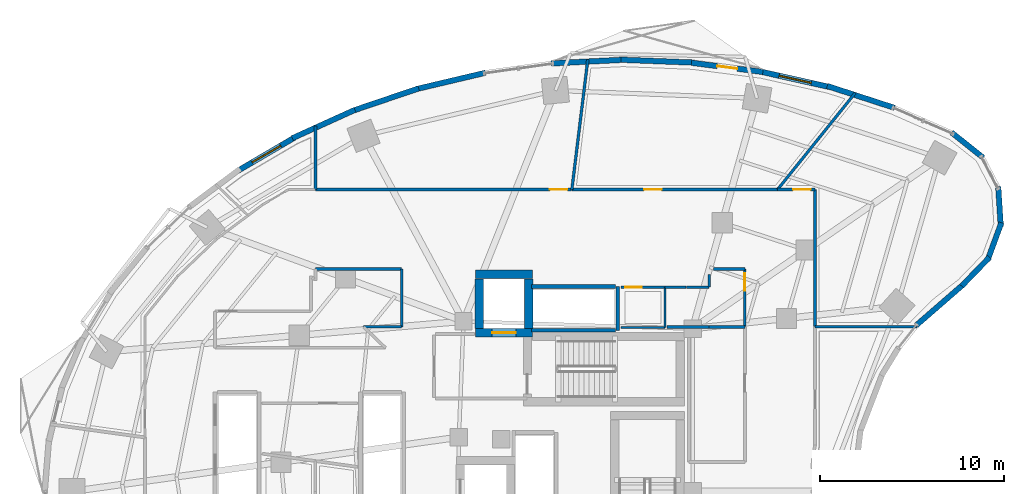
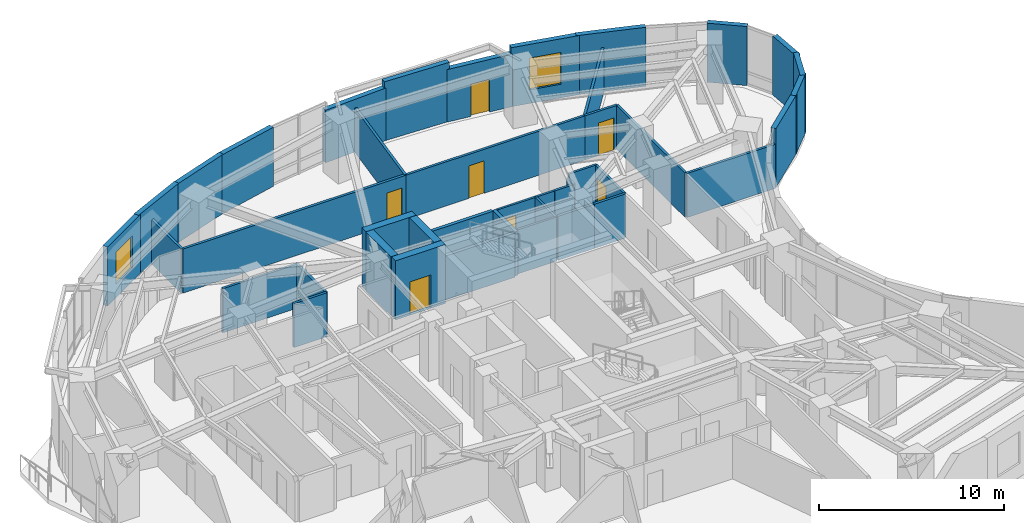
# One storey, part 12 of 16: 42 walls, 7 doors, 2 windows, 9 openings.
"""IFC4 building model written with IfcOpenShell, lengths in metres."""

from ifc_helpers import new_model, si_unit, direction, frame, frame_2d, origin, place, context, subcontext, project, spatial, rectangle, extrude, material, layer, layer_set, type_object, element, fill, save


model = new_model("IFC4")

# Units and contexts
model_context = context("Model", 3, precision=1e-05, world=origin(), true_north=direction((0.0, 1.0)))
body_context = subcontext(model_context, "Body", "Model", "MODEL_VIEW")
ifc_project = project(units=[si_unit("LENGTHUNIT", "METRE"), si_unit("AREAUNIT", "SQUARE_METRE"), si_unit("VOLUMEUNIT", "CUBIC_METRE"), si_unit("PLANEANGLEUNIT", "RADIAN"), si_unit("MASSUNIT", "GRAM", prefix="KILO")], contexts=[model_context])

# Site, building, storey
site_placement = place(None, origin())
site = spatial("IfcSite", under=ifc_project, at=site_placement, CompositionType="ELEMENT")
building_placement = place(site_placement, origin())
building = spatial("IfcBuilding", under=site, at=building_placement, Name="Korentha Bioscience Tower", CompositionType="ELEMENT")
storey_placement = place(building_placement, frame((0.0, 0.0, 59.39990234375)))
storey = spatial("IfcBuildingStorey", under=building, at=storey_placement, Name="L13", CompositionType="ELEMENT", Elevation=59.39990234375)

# Wall, opening, door
ifc_material_1 = material(Name="Double-Stud Acoustic Gypsum", Category="gypsum")
ifc_layer_1 = layer(ifc_material_1, 0.14990234375, Name="Double-Stud Acoustic Gypsum")
ifc_layer_set_1 = layer_set([ifc_layer_1], Name="Double-Stud Acoustic Gypsum (IW-L150)")
wall_type_1 = type_object("IfcWallType", Name="Acoustic Laboratory Partition Wall 150", PredefinedType="PARTITIONING", material=ifc_layer_set_1)
wall_1_placement = place(storey_placement, frame((44.199951171875, 43.409912109375, 0.0), z_axis=(0.0, 0.0, 1.0), x_axis=(-1.0, 0.0, 0.0)))
wall_1 = element("IfcWall", 1, at=wall_1_placement, inside=storey, type_object=wall_type_1, Name="L13 Proteomics Crystallography Laboratory 13 Entrance Wall", PredefinedType="PARTITIONING", context=body_context, shape_type="SweptSolid", body=[
    extrude(rectangle(XDim=2.02978515625, YDim=0.14990234375, at=frame_2d((1.014892578125, 0.0))), origin(), (0.0, 0.0, 1.0), 2.91015625),
])
opening_1_placement = place(wall_1_placement, frame((0.239990234375, 0.0, 0.0)))
opening_1 = element("IfcOpeningElement", 2, at=opening_1_placement, cuts=wall_1, Name="Opening ID-10R", PredefinedType="OPENING", context=body_context, shape_type="SweptSolid", body=[
    extrude(rectangle(XDim=0.949951171875, YDim=2.14990234375, at=frame_2d((0.47509765625, 1.074951171875))), frame((0.0, 0.08984375, 0.0), z_axis=(0.0, -1.0, 0.0), x_axis=(1.0, 0.0, 0.0)), (0.0, 0.0, 1.0), 0.1796875),
])
ifc_material_2 = material(Name="Phenolic Laminate Timber Core", Category="wood")
door_type_1 = type_object("IfcDoorType", Name="Laboratory Single Leaf Door 950x2150 Right", OperationType="SINGLE_SWING_RIGHT", PredefinedType="DOOR", material=ifc_material_2)
door_1_placement = place(opening_1_placement, origin())
door_1 = element("IfcDoor", 3, at=door_1_placement, inside=storey, type_object=door_type_1, Name="L13 Proteomics Crystallography Laboratory 13 Door", OperationType="SINGLE_SWING_RIGHT", OverallHeight=2.14990234375, OverallWidth=0.949951171875, PredefinedType="DOOR", context=body_context, shape_type="SweptSolid", body=[
    extrude(rectangle(XDim=0.949951171875, YDim=2.14990234375, at=frame_2d((0.47509765625, 1.074951171875))), frame((0.0, 0.02490234375, 0.0), z_axis=(0.0, -1.0, 0.0), x_axis=(1.0, 0.0, 0.0)), (0.0, 0.0, 1.0), 0.050048828125),
])
fill(opening_1, door_1)

wall_2_placement = place(storey_placement, frame((42.16015625, 43.409912109375, 0.0), z_axis=(0.0, 0.0, 1.0), x_axis=(-1.0, 0.0, 0.0)))
wall_2 = element("IfcWall", 4, at=wall_2_placement, inside=storey, type_object=wall_type_1, Name="L13 Peptide Synthesis Wet Lab 15 Entrance Wall", PredefinedType="PARTITIONING", context=body_context, shape_type="SweptSolid", body=[
    extrude(rectangle(XDim=11.169677734375, YDim=0.14990234375, at=frame_2d((5.5849609375, 0.0))), origin(), (0.0, 0.0, 1.0), 2.91015625),
])
opening_2_placement = place(wall_2_placement, frame((6.292236328125, 0.0, 0.0)))
opening_2 = element("IfcOpeningElement", 5, at=opening_2_placement, cuts=wall_2, Name="Opening ID-10R", PredefinedType="OPENING", context=body_context, shape_type="SweptSolid", body=[
    extrude(rectangle(XDim=0.949951171875, YDim=2.14990234375, at=frame_2d((0.47509765625, 1.074951171875))), frame((0.0, 0.08984375, 0.0), z_axis=(0.0, -1.0, 0.0), x_axis=(1.0, 0.0, 0.0)), (0.0, 0.0, 1.0), 0.1796875),
])
door_2_placement = place(opening_2_placement, origin())
door_2 = element("IfcDoor", 6, at=door_2_placement, inside=storey, type_object=door_type_1, Name="L13 Peptide Synthesis Wet Lab 15 Door", OperationType="SINGLE_SWING_RIGHT", OverallHeight=2.14990234375, OverallWidth=0.949951171875, PredefinedType="DOOR", context=body_context, shape_type="SweptSolid", body=[
    extrude(rectangle(XDim=0.949951171875, YDim=2.14990234375, at=frame_2d((0.47509765625, 1.074951171875))), frame((0.0, 0.02490234375, 0.0), z_axis=(0.0, -1.0, 0.0), x_axis=(1.0, 0.0, 0.0)), (0.0, 0.0, 1.0), 0.050048828125),
])
fill(opening_2, door_2)

# Walls
wall_3_placement = place(storey_placement, frame((44.2099609375, 35.947998046875, 0.0), z_axis=(0.0, 0.0, 1.0), x_axis=(1.0, 0.0, 0.0)))
element("IfcWall", 7, at=wall_3_placement, inside=storey, type_object=wall_type_1, Name="L13 Interior Partition 069", PredefinedType="PARTITIONING", context=body_context, shape_type="SweptSolid", body=[
    extrude(rectangle(XDim=5.5283203125, YDim=0.14990234375, at=frame_2d((2.76416015625, 0.0))), origin(), (0.0, 0.0, 1.0), 2.91015625),
])
wall_4_placement = place(storey_placement, frame((44.2099609375, 35.9580078125, 0.0), z_axis=(0.0, 0.0, 1.0), x_axis=(0.0, 1.0, 0.0)))
element("IfcWall", 8, at=wall_4_placement, inside=storey, type_object=wall_type_1, Name="L13 Interior Partition 074", PredefinedType="PARTITIONING", context=body_context, shape_type="SweptSolid", body=[
    extrude(rectangle(XDim=7.44189453125, YDim=0.14990234375, at=frame_2d((3.720947265625, 0.0))), origin(), (0.0, 0.0, 1.0), 2.91015625),
])
wall_5_placement = place(storey_placement, frame((42.170166015625, 43.409912109375, 0.0), z_axis=(0.0, 0.0, 1.0), x_axis=(0.626591923984, 0.779347522481, 0.0)))
element("IfcWall", 9, at=wall_5_placement, inside=storey, type_object=wall_type_1, Name="L13 Interior Partition 075", PredefinedType="PARTITIONING", context=body_context, shape_type="SweptSolid", body=[
    extrude(rectangle(XDim=6.72705078125, YDim=0.14990234375, at=frame_2d((3.363525390625, 0.0))), origin(), (0.0, 0.0, 1.0), 2.91015625),
])
wall_6_placement = place(storey_placement, frame((30.990478515625, 43.409912109375, 0.0), z_axis=(0.0, 0.0, 1.0), x_axis=(0.121849241754, 0.992548619607, 0.0)))
element("IfcWall", 10, at=wall_6_placement, inside=storey, type_object=wall_type_1, Name="L13 Interior Partition 082", PredefinedType="PARTITIONING", context=body_context, shape_type="SweptSolid", body=[
    extrude(rectangle(XDim=7.122802734375, YDim=0.14990234375, at=frame_2d((3.5615234375, 0.0))), origin(), (0.0, 0.0, 1.0), 2.91015625),
])
wall_7_placement = place(storey_placement, frame((17.052001953125, 39.090087890625, 0.0), z_axis=(0.0, 0.0, 1.0), x_axis=(1.0, 0.0, 0.0)))
element("IfcWall", 11, at=wall_7_placement, inside=storey, type_object=wall_type_1, Name="L13 Interior Partition 088", PredefinedType="PARTITIONING", context=body_context, shape_type="SweptSolid", body=[
    extrude(rectangle(XDim=4.68798828125, YDim=0.14990234375, at=frame_2d((2.343994140625, 0.0))), origin(), (0.0, 0.0, 1.0), 2.91015625),
])
wall_8_placement = place(storey_placement, frame((21.739990234375, 39.090087890625, 0.0), z_axis=(0.0, 0.0, 1.0), x_axis=(0.0, -1.0, 0.0)))
element("IfcWall", 12, at=wall_8_placement, inside=storey, type_object=wall_type_1, Name="L13 Interior Partition 089", PredefinedType="PARTITIONING", context=body_context, shape_type="SweptSolid", body=[
    extrude(rectangle(XDim=3.13818359375, YDim=0.14990234375, at=frame_2d((1.569091796875, 0.0))), origin(), (0.0, 0.0, 1.0), 2.91015625),
])
wall_9_placement = place(storey_placement, frame((21.739990234375, 35.951904296875, 0.0), z_axis=(0.0, 0.0, 1.0), x_axis=(-1.0, 0.0, 0.0)))
element("IfcWall", 13, at=wall_9_placement, inside=storey, type_object=wall_type_1, Name="L13 Interior Partition 090", PredefinedType="PARTITIONING", context=body_context, shape_type="SweptSolid", body=[
    extrude(rectangle(XDim=2.061767578125, YDim=0.14990234375, at=frame_2d((1.03076171875, 0.0))), origin(), (0.0, 0.0, 1.0), 2.91015625),
])

# Wall, opening, door
ifc_material_3 = material(Name="Insulated Aluminium Honeycomb Panel", Category="aluminium")
ifc_layer_2 = layer(ifc_material_3, 0.139892578125, Name="Insulated Aluminium Honeycomb Panel")
ifc_layer_set_2 = layer_set([ifc_layer_2], Name="Insulated Aluminium Honeycomb Panel (IW-F60)")
wall_type_2 = type_object("IfcWallType", Name="Cleanroom Flush Metal Panel Partition 140", PredefinedType="PARTITIONING", material=ifc_layer_set_2)
wall_10_placement = place(storey_placement, frame((40.389892578125, 39.090087890625, 0.0), z_axis=(0.0, 0.0, 1.0), x_axis=(0.0, -1.0, 0.0)))
wall_10 = element("IfcWall", 14, at=wall_10_placement, inside=storey, type_object=wall_type_2, Name="L13 NMR Spectroscopy Shielded Room 14 Entrance Wall", PredefinedType="PARTITIONING", context=body_context, shape_type="SweptSolid", body=[
    extrude(rectangle(XDim=3.132080078125, YDim=0.139892578125, at=frame_2d((1.56591796875, 0.0))), origin(), (0.0, 0.0, 1.0), 2.91015625),
])
opening_3_placement = place(wall_10_placement, frame((0.239990234375, 0.0, 0.0)))
opening_3 = element("IfcOpeningElement", 15, at=opening_3_placement, cuts=wall_10, Name="Opening ID-10L", PredefinedType="OPENING", context=body_context, shape_type="SweptSolid", body=[
    extrude(rectangle(XDim=0.949951171875, YDim=2.14990234375, at=frame_2d((0.47509765625, 1.074951171875))), frame((0.0, 0.0849609375, 0.0), z_axis=(0.0, -1.0, 0.0), x_axis=(1.0, 0.0, 0.0)), (0.0, 0.0, 1.0), 0.169677734375),
])
door_type_2 = type_object("IfcDoorType", Name="Laboratory Single Leaf Door 950x2150 Left", OperationType="SINGLE_SWING_LEFT", PredefinedType="DOOR", material=ifc_material_2)
door_3_placement = place(opening_3_placement, origin())
door_3 = element("IfcDoor", 16, at=door_3_placement, inside=storey, type_object=door_type_2, Name="L13 NMR Spectroscopy Shielded Room 14 Door", OperationType="SINGLE_SWING_LEFT", OverallHeight=2.14990234375, OverallWidth=0.949951171875, PredefinedType="DOOR", context=body_context, shape_type="SweptSolid", body=[
    extrude(rectangle(XDim=0.949951171875, YDim=2.14990234375, at=frame_2d((0.47509765625, 1.074951171875))), frame((0.0, 0.02490234375, 0.0), z_axis=(0.0, -1.0, 0.0), x_axis=(1.0, 0.0, 0.0)), (0.0, 0.0, 1.0), 0.050048828125),
])
fill(opening_3, door_3)

# Walls
wall_11_placement = place(storey_placement, frame((38.455078125, 38.789306640625, 0.0), z_axis=(0.0, 0.0, 1.0), x_axis=(-0.010272217479, -0.999947239382, 0.0)))
element("IfcWall", 17, at=wall_11_placement, inside=storey, type_object=wall_type_2, Name="L13 Interior Partition 076", PredefinedType="PARTITIONING", context=body_context, shape_type="SweptSolid", body=[
    extrude(rectangle(XDim=0.689208984375, YDim=0.139892578125, at=frame_2d((0.3447265625, 0.0))), origin(), (0.0, 0.0, 1.0), 2.91015625),
])
wall_12_placement = place(storey_placement, frame((38.69677734375, 39.090087890625, 0.0), z_axis=(0.0, 0.0, 1.0), x_axis=(1.0, 0.0, 0.0)))
element("IfcWall", 18, at=wall_12_placement, inside=storey, type_object=wall_type_2, Name="L13 Interior Partition 077", PredefinedType="PARTITIONING", context=body_context, shape_type="SweptSolid", body=[
    extrude(rectangle(XDim=1.693115234375, YDim=0.139892578125, at=frame_2d((0.8466796875, 0.0))), origin(), (0.0, 0.0, 1.0), 2.91015625),
])
wall_13_placement = place(storey_placement, frame((36.06005859375, 38.090087890625, 0.0), z_axis=(0.0, 0.0, 1.0), x_axis=(1.0, 0.0, 0.0)))
element("IfcWall", 19, at=wall_13_placement, inside=storey, type_object=wall_type_2, Name="L13 Interior Partition 078", PredefinedType="PARTITIONING", context=body_context, shape_type="SweptSolid", body=[
    extrude(rectangle(XDim=1.139892578125, YDim=0.139892578125, at=frame_2d((0.56982421875, 0.0))), origin(), (0.0, 0.0, 1.0), 2.91015625),
])
wall_14_placement = place(storey_placement, frame((37.2099609375, 38.10009765625, 0.0), z_axis=(0.0, 0.0, 1.0), x_axis=(1.0, 0.0, 0.0)))
element("IfcWall", 20, at=wall_14_placement, inside=storey, type_object=wall_type_2, Name="L13 Interior Partition 080", PredefinedType="PARTITIONING", context=body_context, shape_type="SweptSolid", body=[
    extrude(rectangle(XDim=1.238037109375, YDim=0.139892578125, at=frame_2d((0.619140625, 0.0))), origin(), (0.0, 0.0, 1.0), 2.91015625),
])

# Wall, opening, door
ifc_material_4 = material(Name="Gypsum-Clad Steel Stud", Category="steel")
ifc_layer_3 = layer(ifc_material_4, 0.159912109375, Name="Gypsum-Clad Steel Stud")
ifc_layer_set_3 = layer_set([ifc_layer_3], Name="Gypsum-Clad Steel Stud (IW-C160)")
wall_type_3 = type_object("IfcWallType", Name="Fire-Rated Corridor Partition Wall 160", PredefinedType="PARTITIONING", material=ifc_layer_set_3)
wall_15_placement = place(storey_placement, frame((30.98046875, 43.409912109375, 0.0), z_axis=(0.0, 0.0, 1.0), x_axis=(-1.0, 0.0, 0.0)))
wall_15 = element("IfcWall", 21, at=wall_15_placement, inside=storey, type_object=wall_type_3, Name="L13 Ultrapure Water Polisher Plant Alcove 16 Entrance Wall", PredefinedType="PARTITIONING", context=body_context, shape_type="SweptSolid", body=[
    extrude(rectangle(XDim=13.928466796875, YDim=0.159912109375, at=frame_2d((6.96435546875, 0.0))), origin(), (0.0, 0.0, 1.0), 2.91015625),
])
opening_4_placement = place(wall_15_placement, frame((0.239990234375, 0.0, 0.0)))
opening_4 = element("IfcOpeningElement", 22, at=opening_4_placement, cuts=wall_15, Name="Opening FD-120D", PredefinedType="OPENING", context=body_context, shape_type="SweptSolid", body=[
    extrude(rectangle(XDim=0.949951171875, YDim=2.14990234375, at=frame_2d((0.47509765625, 1.074951171875))), frame((0.0, 0.0947265625, 0.0), z_axis=(0.0, -1.0, 0.0), x_axis=(1.0, 0.0, 0.0)), (0.0, 0.0, 1.0), 0.189697265625),
])
ifc_material_5 = material(Name="Heavy-Duty Insulated Steel", Category="steel")
door_type_3 = type_object("IfcDoorType", Name="Plant & Riser Fire Door 950x2150 Left", OperationType="SINGLE_SWING_LEFT", PredefinedType="DOOR", material=ifc_material_5)
door_4_placement = place(opening_4_placement, origin())
door_4 = element("IfcDoor", 23, at=door_4_placement, inside=storey, type_object=door_type_3, Name="L13 Ultrapure Water Polisher Plant Alcove 16 Door", OperationType="SINGLE_SWING_LEFT", OverallHeight=2.14990234375, OverallWidth=0.949951171875, PredefinedType="DOOR", context=body_context, shape_type="SweptSolid", body=[
    extrude(rectangle(XDim=0.949951171875, YDim=2.14990234375, at=frame_2d((0.47509765625, 1.074951171875))), frame((0.0, 0.02490234375, 0.0), z_axis=(0.0, -1.0, 0.0), x_axis=(1.0, 0.0, 0.0)), (0.0, 0.0, 1.0), 0.050048828125),
])
fill(opening_4, door_4)

# Walls
wall_16_placement = place(storey_placement, frame((36.170654296875, 35.947998046875, 0.0), z_axis=(0.0, 0.0, 1.0), x_axis=(1.0, 0.0, 0.0)))
element("IfcWall", 24, at=wall_16_placement, inside=storey, type_object=wall_type_3, Name="L13 Interior Partition 070", PredefinedType="PARTITIONING", context=body_context, shape_type="SweptSolid", body=[
    extrude(rectangle(XDim=2.27734375, YDim=0.159912109375, at=frame_2d((1.138671875, 0.0))), origin(), (0.0, 0.0, 1.0), 2.91015625),
])
wall_17_placement = place(storey_placement, frame((38.4521484375, 35.947998046875, 0.0), z_axis=(0.0, 0.0, 1.0), x_axis=(1.0, 0.0, 0.0)))
element("IfcWall", 25, at=wall_17_placement, inside=storey, type_object=wall_type_3, Name="L13 Interior Partition 071", PredefinedType="PARTITIONING", context=body_context, shape_type="SweptSolid", body=[
    extrude(rectangle(XDim=1.937744140625, YDim=0.159912109375, at=frame_2d((0.96875, 0.0))), origin(), (0.0, 0.0, 1.0), 2.91015625),
])
wall_18_placement = place(storey_placement, frame((17.052001953125, 43.409912109375, 0.0), z_axis=(0.0, 0.0, 1.0), x_axis=(0.0, 1.0, 0.0)))
element("IfcWall", 26, at=wall_18_placement, inside=storey, type_object=wall_type_3, Name="L13 Interior Partition 083", PredefinedType="PARTITIONING", context=body_context, shape_type="SweptSolid", body=[
    extrude(rectangle(XDim=3.463134765625, YDim=0.159912109375, at=frame_2d((1.7314453125, 0.0))), origin(), (0.0, 0.0, 1.0), 2.91015625),
])

# Wall, opening, window
ifc_material_6 = material(Name="Honed Limestone Precast Concrete C40", Category="masonry")
ifc_layer_4 = layer(ifc_material_6, 0.300048828125, Name="Honed Limestone Precast Concrete C40")
ifc_layer_set_4 = layer_set([ifc_layer_4], Name="Honed Limestone Precast Concrete C40 (EW-ST300)")
wall_type_4 = type_object("IfcWallType", Name="Honed Limestone Cavity Spandrel Wall 300", PredefinedType="STANDARD", material=ifc_layer_set_4)
wall_19_placement = place(storey_placement, frame((45.015869140625, 48.97607421875, 0.0), z_axis=(0.0, 0.0, 1.0), x_axis=(-0.9758772609, 0.218319883791, 0.0)))
wall_19 = element("IfcWall", 27, at=wall_19_placement, inside=storey, type_object=wall_type_4, Name="L13 Honed Limestone Spandrel Wall 03", PredefinedType="STANDARD", context=body_context, shape_type="SweptSolid", body=[
    extrude(rectangle(XDim=3.869140625, YDim=0.300048828125, at=frame_2d((1.9345703125, 0.0))), origin(), (0.0, 0.0, 1.0), 3.900146484375),
])
opening_5_placement = place(wall_19_placement, frame((1.034423828125, 0.0, 0.89990234375)))
opening_5 = element("IfcOpeningElement", 28, at=opening_5_placement, cuts=wall_19, Name="Opening WN-01", PredefinedType="OPENING", context=body_context, shape_type="SweptSolid", body=[
    extrude(rectangle(XDim=1.800048828125, YDim=2.10009765625, at=frame_2d((0.89990234375, 1.050048828125))), frame((0.0, 0.1650390625, 0.0), z_axis=(0.0, -1.0, 0.0), x_axis=(1.0, 0.0, 0.0)), (0.0, 0.0, 1.0), 0.329833984375),
])
ifc_material_7 = material(Name="Thermally Broken Aluminium Triple Glazing", Category="aluminium")
window_type = type_object("IfcWindowType", Name="Triple-Glazed Fixed Bioscience Window 1800x2100", PartitioningType="SINGLE_PANEL", PredefinedType="WINDOW", material=ifc_material_7)
window_1_placement = place(opening_5_placement, origin())
window_1 = element("IfcWindow", 29, at=window_1_placement, inside=storey, type_object=window_type, Name="L13 Facade Window 03", OverallHeight=2.10009765625, OverallWidth=1.800048828125, PartitioningType="SINGLE_PANEL", PredefinedType="WINDOW", context=body_context, shape_type="SweptSolid", body=[
    extrude(rectangle(XDim=1.800048828125, YDim=2.10009765625, at=frame_2d((0.89990234375, 1.050048828125))), frame((0.0, 0.030029296875, 0.0), z_axis=(0.0, -1.0, 0.0), x_axis=(1.0, 0.0, 0.0)), (0.0, 0.0, 1.0), 0.06005859375),
])
fill(opening_5, window_1)

# Wall, opening, door
wall_20_placement = place(storey_placement, frame((41.37255859375, 49.797607421875, 0.0), z_axis=(0.0, 0.0, 1.0), x_axis=(-0.991741322416, 0.128254237408, 0.0)))
wall_20 = element("IfcWall", 30, at=wall_20_placement, inside=storey, type_object=wall_type_4, Name="L13 Balcony Threshold Wall 01", PredefinedType="STANDARD", context=body_context, shape_type="SweptSolid", body=[
    extrude(rectangle(XDim=3.91552734375, YDim=0.300048828125, at=frame_2d((1.957763671875, 0.0))), origin(), (0.0, 0.0, 1.0), 3.47021484375),
])
opening_6_placement = place(wall_20_placement, frame((1.407958984375, 0.0, 0.0)))
opening_6 = element("IfcOpeningElement", 31, at=opening_6_placement, cuts=wall_20, Name="Opening BD-11L", PredefinedType="OPENING", context=body_context, shape_type="SweptSolid", body=[
    extrude(rectangle(XDim=1.10009765625, YDim=2.14990234375, at=frame_2d((0.550048828125, 1.074951171875))), frame((0.0, 0.1650390625, 0.0), z_axis=(0.0, -1.0, 0.0), x_axis=(1.0, 0.0, 0.0)), (0.0, 0.0, 1.0), 0.329833984375),
])
ifc_material_8 = material(Name="Thermally Broken Glazed Aluminium", Category="aluminium")
door_type_4 = type_object("IfcDoorType", Name="Balcony Terrace Glazed Door 1100x2150 Left", OperationType="SINGLE_SWING_LEFT", PredefinedType="DOOR", material=ifc_material_8)
door_5_placement = place(opening_6_placement, origin())
door_5 = element("IfcDoor", 32, at=door_5_placement, inside=storey, type_object=door_type_4, Name="L13 Balcony Access Door 01", OperationType="SINGLE_SWING_LEFT", OverallHeight=2.14990234375, OverallWidth=1.10009765625, PredefinedType="DOOR", context=body_context, shape_type="SweptSolid", body=[
    extrude(rectangle(XDim=1.10009765625, YDim=2.14990234375, at=frame_2d((0.550048828125, 1.074951171875))), frame((0.0, 0.02490234375, 0.0), z_axis=(0.0, -1.0, 0.0), x_axis=(1.0, 0.0, 0.0)), (0.0, 0.0, 1.0), 0.050048828125),
])
fill(opening_6, door_5)

# Wall, opening, window
wall_21_placement = place(storey_placement, frame((15.943603515625, 46.25048828125, 0.0), z_axis=(0.0, 0.0, 1.0), x_axis=(-0.862473134325, -0.506102847817, 0.0)))
wall_21 = element("IfcWall", 33, at=wall_21_placement, inside=storey, type_object=wall_type_4, Name="L13 Honed Limestone Spandrel Wall 11", PredefinedType="STANDARD", context=body_context, shape_type="SweptSolid", body=[
    extrude(rectangle(XDim=3.59521484375, YDim=0.300048828125, at=frame_2d((1.797607421875, 0.0))), origin(), (0.0, 0.0, 1.0), 3.900146484375),
])
opening_7_placement = place(wall_21_placement, frame((0.897705078125, 0.0, 0.89990234375)))
opening_7 = element("IfcOpeningElement", 34, at=opening_7_placement, cuts=wall_21, Name="Opening WN-01", PredefinedType="OPENING", context=body_context, shape_type="SweptSolid", body=[
    extrude(rectangle(XDim=1.800048828125, YDim=2.10009765625, at=frame_2d((0.89990234375, 1.050048828125))), frame((0.0, 0.1650390625, 0.0), z_axis=(0.0, -1.0, 0.0), x_axis=(1.0, 0.0, 0.0)), (0.0, 0.0, 1.0), 0.329833984375),
])
window_2_placement = place(opening_7_placement, origin())
window_2 = element("IfcWindow", 35, at=window_2_placement, inside=storey, type_object=window_type, Name="L13 Facade Window 11", OverallHeight=2.10009765625, OverallWidth=1.800048828125, PartitioningType="SINGLE_PANEL", PredefinedType="WINDOW", context=body_context, shape_type="SweptSolid", body=[
    extrude(rectangle(XDim=1.800048828125, YDim=2.10009765625, at=frame_2d((0.89990234375, 1.050048828125))), frame((0.0, 0.030029296875, 0.0), z_axis=(0.0, -1.0, 0.0), x_axis=(1.0, 0.0, 0.0)), (0.0, 0.0, 1.0), 0.06005859375),
])
fill(opening_7, window_2)

# Walls
wall_22_placement = place(storey_placement, frame((48.524658203125, 47.84912109375, 0.0), z_axis=(0.0, 0.0, 1.0), x_axis=(-0.950965833732, 0.309295947393, 0.0)))
element("IfcWall", 36, at=wall_22_placement, inside=storey, type_object=wall_type_4, Name="L13 Limestone Perimeter Closure Wall 02", PredefinedType="STANDARD", context=body_context, shape_type="SweptSolid", body=[
    extrude(rectangle(XDim=3.840087890625, YDim=0.300048828125, at=frame_2d((1.919921875, 0.0))), origin(), (0.0, 0.0, 1.0), 3.900146484375),
])
wall_23_placement = place(storey_placement, frame((37.643798828125, 50.307861328125, 0.0), z_axis=(0.0, 0.0, 1.0), x_axis=(-0.999245411623, 0.038840794937, 0.0)))
element("IfcWall", 37, at=wall_23_placement, inside=storey, type_object=wall_type_4, Name="L13 Limestone Perimeter Closure Wall 05", PredefinedType="STANDARD", context=body_context, shape_type="SweptSolid", body=[
    extrude(rectangle(XDim=3.978759765625, YDim=0.300048828125, at=frame_2d((1.9892578125, 0.0))), origin(), (0.0, 0.0, 1.0), 3.900146484375),
])
wall_24_placement = place(storey_placement, frame((33.84033203125, 50.46337890625, 0.0), z_axis=(0.0, 0.0, 1.0), x_axis=(-0.998732359232, -0.050335619826, 0.0)))
element("IfcWall", 38, at=wall_24_placement, inside=storey, type_object=wall_type_4, Name="L13 Limestone Perimeter Closure Wall 06", PredefinedType="STANDARD", context=body_context, shape_type="SweptSolid", body=[
    extrude(rectangle(XDim=3.977294921875, YDim=0.300048828125, at=frame_2d((1.98876953125, 0.0))), origin(), (0.0, 0.0, 1.0), 3.47021484375),
])
wall_25_placement = place(storey_placement, frame((26.29736328125, 49.7587890625, 0.0), z_axis=(0.0, 0.0, 1.0), x_axis=(-0.973197600754, -0.229970497863, 0.0)))
element("IfcWall", 39, at=wall_25_placement, inside=storey, type_object=wall_type_4, Name="L13 Limestone Perimeter Closure Wall 08", PredefinedType="STANDARD", context=body_context, shape_type="SweptSolid", body=[
    extrude(rectangle(XDim=3.9013671875, YDim=0.300048828125, at=frame_2d((1.95068359375, 0.0))), origin(), (0.0, 0.0, 1.0), 3.900146484375),
])
wall_26_placement = place(storey_placement, frame((22.6669921875, 48.9091796875, 0.0), z_axis=(0.0, 0.0, 1.0), x_axis=(-0.94702579403, -0.321157508773, 0.0)))
element("IfcWall", 40, at=wall_26_placement, inside=storey, type_object=wall_type_4, Name="L13 Limestone Perimeter Closure Wall 09", PredefinedType="STANDARD", context=body_context, shape_type="SweptSolid", body=[
    extrude(rectangle(XDim=3.829833984375, YDim=0.300048828125, at=frame_2d((1.9150390625, 0.0))), origin(), (0.0, 0.0, 1.0), 3.900146484375),
])
wall_27_placement = place(storey_placement, frame((19.201416015625, 47.7431640625, 0.0), z_axis=(0.0, 0.0, 1.0), x_axis=(-0.910623406862, -0.413237233166, 0.0)))
element("IfcWall", 41, at=wall_27_placement, inside=storey, type_object=wall_type_4, Name="L13 Limestone Perimeter Closure Wall 10", PredefinedType="STANDARD", context=body_context, shape_type="SweptSolid", body=[
    extrude(rectangle(XDim=3.73974609375, YDim=0.300048828125, at=frame_2d((1.869873046875, 0.0))), origin(), (0.0, 0.0, 1.0), 3.900146484375),
])
wall_28_placement = place(storey_placement, frame((49.708984375, 36.029296875, 0.0), z_axis=(0.0, 0.0, 1.0), x_axis=(0.754746490246, 0.656016566454, 0.0)))
element("IfcWall", 42, at=wall_28_placement, inside=storey, type_object=wall_type_4, Name="L13 Limestone Perimeter Closure Wall 56", PredefinedType="STANDARD", context=body_context, shape_type="SweptSolid", body=[
    extrude(rectangle(XDim=3.4296875, YDim=0.300048828125, at=frame_2d((1.71484375, 0.0))), origin(), (0.0, 0.0, 1.0), 3.900146484375),
])
wall_29_placement = place(storey_placement, frame((52.1728515625, 38.1611328125, 0.0), z_axis=(0.0, 0.0, 1.0), x_axis=(0.695404695719, 0.718618333451, 0.0)))
element("IfcWall", 43, at=wall_29_placement, inside=storey, type_object=wall_type_4, Name="L13 Limestone Perimeter Closure Wall 58", PredefinedType="STANDARD", context=body_context, shape_type="SweptSolid", body=[
    extrude(rectangle(XDim=2.1875, YDim=0.300048828125, at=frame_2d((1.09375, 0.0))), origin(), (0.0, 0.0, 1.0), 3.900146484375),
])
for number, where, z_axis, x_axis, name in (
    (44, (53.580078125, 39.551513671875, 0.0), (0.0, 0.0, 1.0), (0.344939866054, 0.938624785954, 0.0), "L13 Limestone Perimeter Closure Wall 59"),
    (45, (54.303955078125, 41.392578125, 0.0), (0.0, 0.0, 1.0), (-0.064615302336, 0.99791024782, 0.0), "L13 Limestone Perimeter Closure Wall 60"),
    (46, (53.343994140625, 45.142822265625, 0.0), (0.0, 0.0, 1.0), (-0.782282158644, 0.622924252432, 0.0), "L13 Limestone Perimeter Closure Wall 62"),
):
    element("IfcWall", number, at=place(storey_placement, frame(where, z_axis=z_axis, x_axis=x_axis)), inside=storey, type_object=wall_type_4, Name=name, PredefinedType="STANDARD", context=body_context, shape_type="SweptSolid", body=[
        extrude(rectangle(XDim=2.187744140625, YDim=0.300048828125, at=frame_2d((1.09375, 0.0))), origin(), (0.0, 0.0, 1.0), 3.900146484375),
    ])
ifc_material_9 = material(Name="Autoclaved Aerated Concrete Block C25", Category="concrete")
ifc_layer_5 = layer(ifc_material_9, 0.199951171875, Name="Autoclaved Aerated Concrete Block C25")
ifc_layer_set_5 = layer_set([ifc_layer_5], Name="Autoclaved Aerated Concrete Block C25 (IW-S200)")
wall_type_5 = type_object("IfcWallType", Name="Lift and Riser Shaft Enclosure Wall 200", PredefinedType="PARTITIONING", material=ifc_layer_set_5)
wall_30_placement = place(storey_placement, frame((33.489990234375, 35.760009765625, 0.0), z_axis=(0.0, 0.0, 1.0), x_axis=(0.0, 1.0, 0.0)))
element("IfcWall", 47, at=wall_30_placement, inside=storey, type_object=wall_type_5, Name="L13 Lift Bank OBS Shaft Wall +X", PredefinedType="PARTITIONING", context=body_context, shape_type="SweptSolid", body=[
    extrude(rectangle(XDim=2.3798828125, YDim=0.199951171875, at=frame_2d((1.18994140625, 0.0))), origin(), (0.0, 0.0, 1.0), 2.91015625),
])
for number, where, z_axis, x_axis, name in (
    (48, (28.800048828125, 35.760009765625, 0.0), (0.0, 0.0, 1.0), (1.0, 0.0, 0.0), "L13 Lift Bank OBS Shaft Wall -Y"),
    (49, (28.800048828125, 38.139892578125, 0.0), (0.0, 0.0, 1.0), (1.0, 0.0, 0.0), "L13 Lift Bank OBS Shaft Wall +Y"),
):
    element("IfcWall", number, at=place(storey_placement, frame(where, z_axis=z_axis, x_axis=x_axis)), inside=storey, type_object=wall_type_5, Name=name, PredefinedType="PARTITIONING", context=body_context, shape_type="SweptSolid", body=[
        extrude(rectangle(XDim=4.570068359375, YDim=0.199951171875, at=frame_2d((2.28515625, 0.0))), origin(), (0.0, 0.0, 1.0), 2.91015625),
    ])
ifc_material_10 = material(Name="Concrete C80", Category="concrete")
ifc_layer_6 = layer(ifc_material_10, 0.449951171875, Name="Concrete C80")
ifc_layer_set_6 = layer_set([ifc_layer_6], Name="Concrete C80 (CW-C80)")
wall_type_6 = type_object("IfcWallType", Name="Lower Core Shear Wall 450", PredefinedType="SHEAR", material=ifc_layer_set_6)
wall_31_placement = place(storey_placement, frame((25.75, 38.800048828125, 0.0), z_axis=(0.0, 0.0, 1.0), x_axis=(1.0, 0.0, 0.0)))
element("IfcWall", 50, at=wall_31_placement, inside=storey, type_object=wall_type_6, Name="L13 Core Shear Wall FFL2-N", PredefinedType="SHEAR", context=body_context, shape_type="SweptSolid", body=[
    extrude(rectangle(XDim=3.10009765625, YDim=0.449951171875, at=frame_2d((1.550048828125, 0.0))), origin(), (0.0, 0.0, 1.0), 3.900146484375),
])

# Wall, opening, door
wall_32_placement = place(storey_placement, frame((25.75, 35.6201171875, 0.0), z_axis=(0.0, 0.0, 1.0), x_axis=(1.0, 0.0, 0.0)))
wall_32 = element("IfcWall", 51, at=wall_32_placement, inside=storey, type_object=wall_type_6, Name="L13 Core Shear Wall FFL2-S", PredefinedType="SHEAR", context=body_context, shape_type="SweptSolid", body=[
    extrude(rectangle(XDim=3.10009765625, YDim=0.449951171875, at=frame_2d((1.550048828125, 0.0))), origin(), (0.0, 0.0, 1.0), 3.900146484375),
])
opening_8_placement = place(wall_32_placement, frame((0.89990234375, 0.0, 0.0)))
opening_8 = element("IfcOpeningElement", 52, at=opening_8_placement, cuts=wall_32, Name="Opening LD-13", PredefinedType="OPENING", context=body_context, shape_type="SweptSolid", body=[
    extrude(rectangle(XDim=1.300048828125, YDim=2.199951171875, at=frame_2d((0.64990234375, 1.10009765625))), frame((0.0, 0.23974609375, 0.0), z_axis=(0.0, -1.0, 0.0), x_axis=(1.0, 0.0, 0.0)), (0.0, 0.0, 1.0), 0.479736328125),
])
ifc_material_11 = material(Name="Brushed Stainless Steel 316", Category="steel")
door_type_5 = type_object("IfcDoorType", Name="Service & Firefighting Lift Landing Door 1300x2300", OperationType="DOUBLE_DOOR_SLIDING", PredefinedType="DOOR", material=ifc_material_11)
door_6_placement = place(opening_8_placement, origin())
door_6 = element("IfcDoor", 53, at=door_6_placement, inside=storey, type_object=door_type_5, Name="L13 FFL-2 Sliding Lift Landing Door", OperationType="DOUBLE_DOOR_SLIDING", OverallHeight=2.199951171875, OverallWidth=1.300048828125, PredefinedType="DOOR", context=body_context, shape_type="SweptSolid", body=[
    extrude(rectangle(XDim=1.300048828125, YDim=2.199951171875, at=frame_2d((0.64990234375, 1.10009765625))), frame((0.0, 0.02490234375, 0.0), z_axis=(0.0, -1.0, 0.0), x_axis=(1.0, 0.0, 0.0)), (0.0, 0.0, 1.0), 0.050048828125),
])
fill(opening_8, door_6)

# Walls
for number, where, z_axis, x_axis, name in (
    (54, (25.949951171875, 35.860107421875, 0.0), (0.0, 0.0, 1.0), (0.0, 1.0, 0.0), "L13 Core Shear Wall FFL2-W"),
    (55, (28.64990234375, 35.860107421875, 0.0), (0.0, 0.0, 1.0), (0.0, 1.0, 0.0), "L13 Core Shear Wall FFL2-E"),
):
    element("IfcWall", number, at=place(storey_placement, frame(where, z_axis=z_axis, x_axis=x_axis)), inside=storey, type_object=wall_type_6, Name=name, PredefinedType="SHEAR", context=body_context, shape_type="SweptSolid", body=[
        extrude(rectangle(XDim=2.699951171875, YDim=0.449951171875, at=frame_2d((1.35009765625, 0.0))), origin(), (0.0, 0.0, 1.0), 3.900146484375),
    ])

# Wall, opening, door
ifc_material_12 = material(Name="Cement-Board Steel Stud", Category="steel")
ifc_layer_7 = layer(ifc_material_12, 0.1298828125, Name="Cement-Board Steel Stud")
ifc_layer_set_7 = layer_set([ifc_layer_7], Name="Cement-Board Steel Stud (IW-W130)")
wall_type_7 = type_object("IfcWallType", Name="Wet-Area Moisture-Resistant Partition 130", PredefinedType="PARTITIONING", material=ifc_layer_set_7)
wall_33_placement = place(storey_placement, frame((33.64990234375, 38.090087890625, 0.0), z_axis=(0.0, 0.0, 1.0), x_axis=(1.0, 0.0, 0.0)))
wall_33 = element("IfcWall", 56, at=wall_33_placement, inside=storey, type_object=wall_type_7, Name="L13 Accessible Staff WC Entrance Wall", PredefinedType="PARTITIONING", context=body_context, shape_type="SweptSolid", body=[
    extrude(rectangle(XDim=2.400146484375, YDim=0.1298828125, at=frame_2d((1.2001953125, 0.0))), origin(), (0.0, 0.0, 1.0), 2.91015625),
])
opening_9_placement = place(wall_33_placement, frame((0.239990234375, 0.0, 0.0)))
opening_9 = element("IfcOpeningElement", 57, at=opening_9_placement, cuts=wall_33, Name="Opening ID-09L", PredefinedType="OPENING", context=body_context, shape_type="SweptSolid", body=[
    extrude(rectangle(XDim=0.89990234375, YDim=2.14990234375, at=frame_2d((0.449951171875, 1.074951171875))), frame((0.0, 0.079833984375, 0.0), z_axis=(0.0, -1.0, 0.0), x_axis=(1.0, 0.0, 0.0)), (0.0, 0.0, 1.0), 0.15966796875),
])
ifc_material_13 = material(Name="Moisture-Resistant HPL Leaf", Category="wood")
door_type_6 = type_object("IfcDoorType", Name="Restroom & Accessible WC Door 900x2150 Left", OperationType="SINGLE_SWING_LEFT", PredefinedType="DOOR", material=ifc_material_13)
door_7_placement = place(opening_9_placement, origin())
door_7 = element("IfcDoor", 58, at=door_7_placement, inside=storey, type_object=door_type_6, Name="L13 Accessible Staff WC Door", OperationType="SINGLE_SWING_LEFT", OverallHeight=2.14990234375, OverallWidth=0.89990234375, PredefinedType="DOOR", context=body_context, shape_type="SweptSolid", body=[
    extrude(rectangle(XDim=0.89990234375, YDim=2.14990234375, at=frame_2d((0.449951171875, 1.074951171875))), frame((0.0, 0.02490234375, 0.0), z_axis=(0.0, -1.0, 0.0), x_axis=(1.0, 0.0, 0.0)), (0.0, 0.0, 1.0), 0.050048828125),
])
fill(opening_9, door_7)

# Walls
wall_34_placement = place(storey_placement, frame((36.050048828125, 35.909912109375, 0.0), z_axis=(0.0, 0.0, 1.0), x_axis=(-1.0, 0.0, 0.0)))
element("IfcWall", 59, at=wall_34_placement, inside=storey, type_object=wall_type_7, Name="L13 Interior Partition 026", PredefinedType="PARTITIONING", context=body_context, shape_type="SweptSolid", body=[
    extrude(rectangle(XDim=2.400146484375, YDim=0.1298828125, at=frame_2d((1.2001953125, 0.0))), origin(), (0.0, 0.0, 1.0), 2.91015625),
])
wall_35_placement = place(storey_placement, frame((36.050048828125, 38.090087890625, 0.0), z_axis=(0.0, 0.0, 1.0), x_axis=(0.0, -1.0, 0.0)))
element("IfcWall", 60, at=wall_35_placement, inside=storey, type_object=wall_type_7, Name="L13 Interior Partition 027", PredefinedType="PARTITIONING", context=body_context, shape_type="SweptSolid", body=[
    extrude(rectangle(XDim=2.18017578125, YDim=0.1298828125, at=frame_2d((1.090087890625, 0.0))), origin(), (0.0, 0.0, 1.0), 2.91015625),
])

save(model, "model.ifc")
